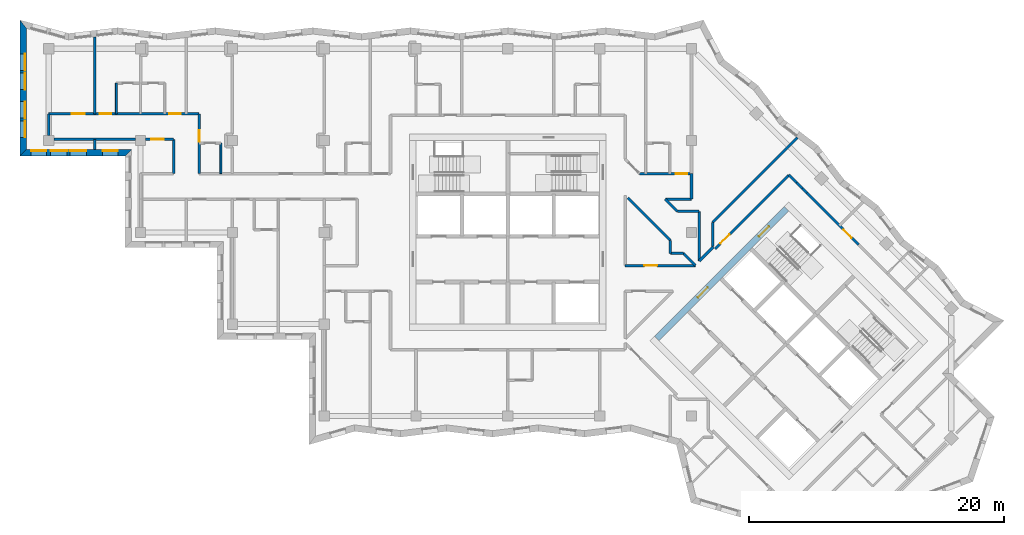
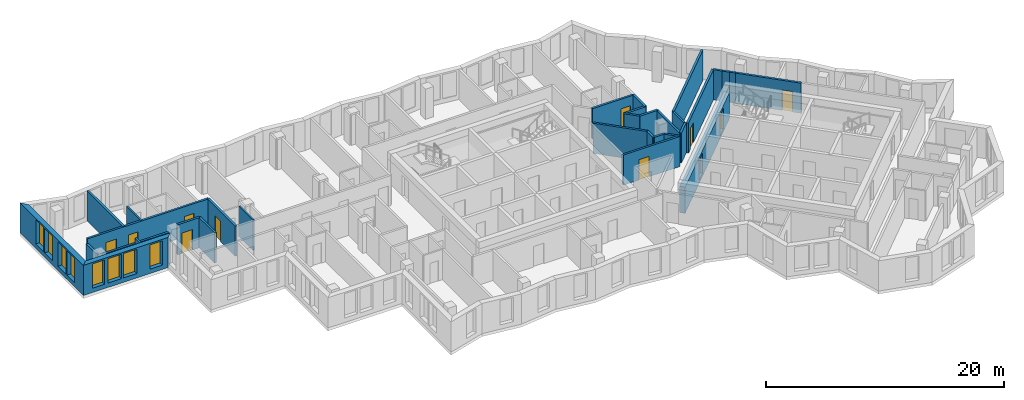
# One storey, part 5 of 12: 32 walls, 11 doors, 8 windows, 19 openings.
"""IFC4 building model written with IfcOpenShell, lengths in metres."""

import ifcopenshell
import ifcopenshell.guid

model = None  # the IFC model being written
_history = None  # IfcOwnerHistory: only IFC2X3 demands one
_inside = {}  # id of a spatial element -> (the spatial element, [elements in it])
_under = {}  # id of a project, library or spatial element -> (it, [spatial elements below it])
_declared = {}  # id of a project -> (the project, [libraries it declares])
_typed = {}  # id of a type object -> (the type object, [elements of that type])
_made_of = {}  # id of a material, layer set ... -> (it, [elements and type objects made of it])


def new_model(schema):
    """Start an empty IFC model of exactly this schema.

    Asked for "IFC4X3", IfcOpenShell would pick the latest addendum, in which some entities
    have other attributes; the version numbers below select the first issue.
    IFC2X3 requires an IfcOwnerHistory on every rooted entity: one is made here for all.
    """
    global model, _history
    if schema == "IFC4X3":
        model = ifcopenshell.file(schema_version=(4, 3, 0, 0))
    else:
        model = ifcopenshell.file(schema=schema)
    _inside.clear()
    _under.clear()
    _declared.clear()
    _typed.clear()
    _made_of.clear()
    _history = None
    if model.schema == "IFC2X3":
        org = make("IfcOrganization", Name="unknown")
        user = make(
            "IfcPersonAndOrganization",
            ThePerson=make("IfcPerson", FamilyName="unknown"),
            TheOrganization=org,
        )
        app = make(
            "IfcApplication",
            ApplicationDeveloper=org,
            Version="unknown",
            ApplicationFullName="unknown",
            ApplicationIdentifier="unknown",
        )
        _history = make(
            "IfcOwnerHistory",
            OwningUser=user,
            OwningApplication=app,
            ChangeAction="ADDED",
            CreationDate=0,
        )
    return model


def make(cls, **values):
    """One entity of the class cls with the attributes given. An attribute that is None is left unset."""
    return model.create_entity(
        cls, **{name: value for name, value in values.items() if value is not None}
    )


def rooted(cls, **values):
    """An entity with a GlobalId (a new one), such as an element, a storey or a relation."""
    return make(cls, GlobalId=ifcopenshell.guid.new(), OwnerHistory=_history, **values)


def si_unit(unit_type, name, prefix=None):
    """IfcSIUnit, for example si_unit("LENGTHUNIT", "METRE", prefix="MILLI")."""
    return make("IfcSIUnit", UnitType=unit_type, Prefix=prefix, Name=name)


def assignment(units):
    """IfcUnitAssignment: the units of a project."""
    return None if units is None else make("IfcUnitAssignment", Units=units)


def point(xyz):
    """IfcCartesianPoint."""
    return None if xyz is None else make("IfcCartesianPoint", Coordinates=xyz)


def direction(xyz):
    """IfcDirection."""
    return None if xyz is None else make("IfcDirection", DirectionRatios=xyz)


def frame(location, z_axis=None, x_axis=None):
    """IfcAxis2Placement3D, a coordinate frame: its origin and axes. An axis left out is left unset."""
    return make(
        "IfcAxis2Placement3D",
        Location=point(location),
        Axis=direction(z_axis),
        RefDirection=direction(x_axis),
    )


def frame_2d(location, x_axis=None):
    """IfcAxis2Placement2D, a coordinate frame in the plane: its origin and x axis."""
    return make(
        "IfcAxis2Placement2D", Location=point(location), RefDirection=direction(x_axis)
    )


def origin():
    """The frame at (0, 0, 0) with its axes left unset."""
    return frame((0.0, 0.0, 0.0))


def place(relative_to, where):
    """IfcLocalPlacement: puts the frame where relative to a parent placement (None: the world)."""
    return make(
        "IfcLocalPlacement", PlacementRelTo=relative_to, RelativePlacement=where
    )


def context(
    kind, dimensions, precision=None, world=None, true_north=None, identifier=None
):
    """IfcGeometricRepresentationContext, for example the 3D "Model" context."""
    return make(
        "IfcGeometricRepresentationContext",
        ContextIdentifier=identifier,
        ContextType=kind,
        CoordinateSpaceDimension=dimensions,
        Precision=precision,
        WorldCoordinateSystem=world,
        TrueNorth=true_north,
    )


def subcontext(parent, identifier, kind, view, scale=None):
    """IfcGeometricRepresentationSubContext, for example "Body" below "Model"."""
    return make(
        "IfcGeometricRepresentationSubContext",
        ContextIdentifier=identifier,
        ContextType=kind,
        ParentContext=parent,
        TargetScale=scale,
        TargetView=view,
    )


def project(units=None, contexts=None):
    """IfcProject with its units and contexts."""
    return rooted(
        "IfcProject",
        Name="project",
        RepresentationContexts=contexts,
        UnitsInContext=assignment(units),
    )


def spatial(cls, under=None, at=None, **own):
    """A site, building, storey or space (cls), placed at a placement, below another one or the project."""
    s = rooted(cls, ObjectPlacement=at, **own)
    if under is not None:
        _under.setdefault(under.id(), (under, []))[1].append(s)
    return s


def polyline(points):
    """IfcPolyline through the points."""
    return make("IfcPolyline", Points=[point(p) for p in points])


def profile(cls, at=None, kind="AREA", **sizes):
    """A parametric profile (cls). Its sizes go by their IFC names, for example OverallWidth=200.0."""
    return make(cls, ProfileType=kind, Position=at, **sizes)


def rectangle(**sizes):
    """IfcRectangleProfileDef."""
    return profile("IfcRectangleProfileDef", **sizes)


def outline(outer, holes=None, kind="AREA"):
    """IfcArbitraryClosedProfileDef: a profile drawn as a closed curve; with holes, ...WithVoids."""
    if holes is None:
        return make("IfcArbitraryClosedProfileDef", ProfileType=kind, OuterCurve=outer)
    return make(
        "IfcArbitraryProfileDefWithVoids",
        ProfileType=kind,
        OuterCurve=outer,
        InnerCurves=holes,
    )


def extrude(swept, where, along, depth):
    """IfcExtrudedAreaSolid: the profile swept, set in the frame where, extruded along a direction by depth."""
    return make(
        "IfcExtrudedAreaSolid",
        SweptArea=swept,
        Position=where,
        ExtrudedDirection=direction(along),
        Depth=depth,
    )


def shape(context_of_items, identifier, shape_type, items):
    """IfcShapeRepresentation: the items that make up one representation, for example the "Body"."""
    return make(
        "IfcShapeRepresentation",
        ContextOfItems=context_of_items,
        RepresentationIdentifier=identifier,
        RepresentationType=shape_type,
        Items=items,
    )


def material(Name=None, Category=None):
    """IfcMaterial."""
    return make("IfcMaterial", Name=Name, Category=Category)


def layer(
    of_material, thickness, ventilated=None, Name=None, Category=None, Priority=None
):
    """IfcMaterialLayer: one layer of a wall or slab, of a material (None: an air gap)."""
    return make(
        "IfcMaterialLayer",
        Material=of_material,
        LayerThickness=thickness,
        IsVentilated=ventilated,
        Name=Name,
        Category=Category,
        Priority=Priority,
    )


def layer_set(layers, Name=None):
    """IfcMaterialLayerSet."""
    return make("IfcMaterialLayerSet", MaterialLayers=layers, LayerSetName=Name)


def made_of(thing, what):
    """Note that an element or type object is made of a material, layer set ...; save() writes the relation."""
    if what is not None:
        _made_of.setdefault(what.id(), (what, []))[1].append(thing)
    return thing


def type_object(cls, material=None, **own):
    """A type object (cls), such as IfcWallType, which elements share."""
    return made_of(rooted(cls, **own), material)


def element(
    cls,
    number,
    at=None,
    inside=None,
    cuts=None,
    type_object=None,
    material=None,
    context=None,
    identifier="Body",
    shape_type=None,
    held_by="IfcProductDefinitionShape",
    body=None,
    shapes=None,
    **own,
):
    """One element of the class cls, such as IfcWall. Its Tag is "e" and its number.

    at: its placement. inside: the storey or other place that contains it. cuts: it is an
    opening in that element (IfcRelVoidsElement). A single representation is given by context,
    identifier, shape_type and body (its items); several are given by shapes. held_by: the class
    of the entity that holds the representations. save() writes the other relations.
    """
    e = rooted(cls, Tag="e%d" % number, ObjectPlacement=at, **own)
    if body is not None:
        shapes = [shape(context, identifier, shape_type, body)]
    if shapes is not None:
        e.Representation = make(held_by, Representations=shapes)
    if inside is not None:
        _inside.setdefault(inside.id(), (inside, []))[1].append(e)
    if cuts is not None:
        rooted(
            "IfcRelVoidsElement", RelatingBuildingElement=cuts, RelatedOpeningElement=e
        )
    if type_object is not None:
        _typed.setdefault(type_object.id(), (type_object, []))[1].append(e)
    return made_of(e, material)


def fill(opening, filler):
    """IfcRelFillsElement: the door or window that sits in an opening."""
    return rooted(
        "IfcRelFillsElement",
        RelatingOpeningElement=opening,
        RelatedBuildingElement=filler,
    )


def aggregate(whole, parts):
    """IfcRelAggregates: a whole, such as a stair, and the parts it consists of."""
    return rooted("IfcRelAggregates", RelatingObject=whole, RelatedObjects=parts)


def save(model, path):
    """Write the relations noted so far, then the file.

    IfcRelAggregates (storeys below a building ...), IfcRelContainedInSpatialStructure (elements
    in a storey), IfcRelDefinesByType, IfcRelAssociatesMaterial and IfcRelDeclares: one each for
    every whole, place, type object, material and project.
    """
    for whole, parts in _under.values():
        aggregate(whole, parts)
    for where, things in _inside.values():
        rooted(
            "IfcRelContainedInSpatialStructure",
            RelatedElements=things,
            RelatingStructure=where,
        )
    for kind, things in _typed.values():
        rooted("IfcRelDefinesByType", RelatedObjects=things, RelatingType=kind)
    for what, things in _made_of.values():
        rooted("IfcRelAssociatesMaterial", RelatedObjects=things, RelatingMaterial=what)
    for by, libraries in _declared.values():
        rooted("IfcRelDeclares", RelatingContext=by, RelatedDefinitions=libraries)
    model.write(path)


model = new_model("IFC4")

# Units and contexts
model_context = context("Model", 3, precision=1e-05, world=origin(), true_north=direction((0.0, 1.0)))
body_context = subcontext(model_context, "Body", "Model", "MODEL_VIEW")
ifc_project = project(units=[si_unit("LENGTHUNIT", "METRE"), si_unit("AREAUNIT", "SQUARE_METRE"), si_unit("VOLUMEUNIT", "CUBIC_METRE"), si_unit("PLANEANGLEUNIT", "RADIAN"), si_unit("MASSUNIT", "GRAM", prefix="KILO")], contexts=[model_context])

# Site, building, storey
site_placement = place(None, origin())
site = spatial("IfcSite", under=ifc_project, at=site_placement, CompositionType="ELEMENT")
building_placement = place(site_placement, origin())
building = spatial("IfcBuilding", under=site, at=building_placement, Name="Windrow Commons", CompositionType="ELEMENT")
storey_placement = place(building_placement, frame((0.0, 0.0, 206.6)))
storey = spatial("IfcBuildingStorey", under=building, at=storey_placement, Name="L56", CompositionType="ELEMENT", Elevation=206.6)

# Wall, openings, windows
ifc_material_1 = material(Name="Brick masonry, red clay brick", Category="masonry")
ifc_layer_1 = layer(ifc_material_1, 0.5)
ifc_layer_set_1 = layer_set([ifc_layer_1], Name="Brick facade wall 500")
wall_type_1 = type_object("IfcWallType", Name="Brick facade wall 500", PredefinedType="SOLIDWALL", material=ifc_layer_set_1)
wall_1_placement = place(storey_placement, frame((26.799, 73.9231, 0.0), z_axis=(0.0, 0.0, 1.0), x_axis=(0.0, -1.0, 0.0)))
wall_1 = element("IfcWall", 1, at=wall_1_placement, inside=storey, type_object=wall_type_1, Name="Brick facade wall L56 31", PredefinedType="SOLIDWALL", context=body_context, shape_type="SweptSolid", body=[
    extrude(outline(polyline([(-0.3279, -0.25), (10.3231, -0.25), (9.8231, 0.25), (0.3279, 0.25), (-0.3279, -0.25)])), origin(), (0.0, 0.0, 1.0), 3.1),
])
opening_1_placement = place(wall_1_placement, frame((2.3231, 0.0, 0.45)))
opening_1 = element("IfcOpeningElement", 2, at=opening_1_placement, cuts=wall_1, Name="Opening W1Q", PredefinedType="OPENING", context=body_context, shape_type="SweptSolid", body=[
    extrude(rectangle(XDim=1.3, YDim=2.5, at=frame_2d((0.65, 1.25))), frame((0.0, 0.26, 0.0), z_axis=(0.0, -1.0, 0.0), x_axis=(1.0, 0.0, 0.0)), (0.0, 0.0, 1.0), 0.52),
])
opening_2_placement = place(wall_1_placement, frame((3.8231, 0.0, 0.45)))
opening_2 = element("IfcOpeningElement", 3, at=opening_2_placement, cuts=wall_1, Name="Opening W1Q", PredefinedType="OPENING", context=body_context, shape_type="SweptSolid", body=[
    extrude(rectangle(XDim=1.3, YDim=2.5, at=frame_2d((0.65, 1.25))), frame((0.0, 0.26, 0.0), z_axis=(0.0, -1.0, 0.0), x_axis=(1.0, 0.0, 0.0)), (0.0, 0.0, 1.0), 0.52),
])
opening_3_placement = place(wall_1_placement, frame((6.0731, 0.0, 0.45)))
opening_3 = element("IfcOpeningElement", 4, at=opening_3_placement, cuts=wall_1, Name="Opening W1Q", PredefinedType="OPENING", context=body_context, shape_type="SweptSolid", body=[
    extrude(rectangle(XDim=1.3, YDim=2.5, at=frame_2d((0.65, 1.25))), frame((0.0, 0.26, 0.0), z_axis=(0.0, -1.0, 0.0), x_axis=(1.0, 0.0, 0.0)), (0.0, 0.0, 1.0), 0.52),
])
opening_4_placement = place(wall_1_placement, frame((7.5731, 0.0, 0.45)))
opening_4 = element("IfcOpeningElement", 5, at=opening_4_placement, cuts=wall_1, Name="Opening W1Q", PredefinedType="OPENING", context=body_context, shape_type="SweptSolid", body=[
    extrude(rectangle(XDim=1.3, YDim=2.5, at=frame_2d((0.65, 1.25))), frame((0.0, 0.26, 0.0), z_axis=(0.0, -1.0, 0.0), x_axis=(1.0, 0.0, 0.0)), (0.0, 0.0, 1.0), 0.52),
])
ifc_material_2 = material(Name="Clear float glass in anodised aluminium frame", Category="aluminium")
window_type_1 = type_object("IfcWindowType", Name="Window W1Q pair 1300x2500", PartitioningType="SINGLE_PANEL", PredefinedType="WINDOW", material=ifc_material_2)
window_1_placement = place(opening_1_placement, origin())
window_1 = element("IfcWindow", 6, at=window_1_placement, inside=storey, type_object=window_type_1, Name="Window L56 31.1A", OverallHeight=2.5, OverallWidth=1.3, PartitioningType="SINGLE_PANEL", PredefinedType="WINDOW", context=body_context, shape_type="SweptSolid", body=[
    extrude(rectangle(XDim=1.3, YDim=2.5, at=frame_2d((0.65, 1.25))), frame((0.0, 0.18, 0.0), z_axis=(0.0, -1.0, 0.0), x_axis=(1.0, 0.0, 0.0)), (0.0, 0.0, 1.0), 0.06),
])
fill(opening_1, window_1)
window_2_placement = place(opening_2_placement, origin())
window_2 = element("IfcWindow", 7, at=window_2_placement, inside=storey, type_object=window_type_1, Name="Window L56 31.1B", OverallHeight=2.5, OverallWidth=1.3, PartitioningType="SINGLE_PANEL", PredefinedType="WINDOW", context=body_context, shape_type="SweptSolid", body=[
    extrude(rectangle(XDim=1.3, YDim=2.5, at=frame_2d((0.65, 1.25))), frame((0.0, 0.18, 0.0), z_axis=(0.0, -1.0, 0.0), x_axis=(1.0, 0.0, 0.0)), (0.0, 0.0, 1.0), 0.06),
])
fill(opening_2, window_2)
window_3_placement = place(opening_3_placement, origin())
window_3 = element("IfcWindow", 8, at=window_3_placement, inside=storey, type_object=window_type_1, Name="Window L56 31.2A", OverallHeight=2.5, OverallWidth=1.3, PartitioningType="SINGLE_PANEL", PredefinedType="WINDOW", context=body_context, shape_type="SweptSolid", body=[
    extrude(rectangle(XDim=1.3, YDim=2.5, at=frame_2d((0.65, 1.25))), frame((0.0, 0.18, 0.0), z_axis=(0.0, -1.0, 0.0), x_axis=(1.0, 0.0, 0.0)), (0.0, 0.0, 1.0), 0.06),
])
fill(opening_3, window_3)
window_4_placement = place(opening_4_placement, origin())
window_4 = element("IfcWindow", 9, at=window_4_placement, inside=storey, type_object=window_type_1, Name="Window L56 31.2B", OverallHeight=2.5, OverallWidth=1.3, PartitioningType="SINGLE_PANEL", PredefinedType="WINDOW", context=body_context, shape_type="SweptSolid", body=[
    extrude(rectangle(XDim=1.3, YDim=2.5, at=frame_2d((0.65, 1.25))), frame((0.0, 0.18, 0.0), z_axis=(0.0, -1.0, 0.0), x_axis=(1.0, 0.0, 0.0)), (0.0, 0.0, 1.0), 0.06),
])
fill(opening_4, window_4)

wall_2_placement = place(storey_placement, frame((26.799, 63.85, 0.0), z_axis=(0.0, 0.0, 1.0), x_axis=(1.0, 0.0, 0.0)))
wall_2 = element("IfcWall", 10, at=wall_2_placement, inside=storey, type_object=wall_type_1, Name="Brick facade wall L56 32", PredefinedType="SOLIDWALL", context=body_context, shape_type="SweptSolid", body=[
    extrude(outline(polyline([(-0.25, -0.25), (8.001, -0.25), (8.501, 0.25), (0.25, 0.25), (-0.25, -0.25)])), origin(), (0.0, 0.0, 1.0), 3.1),
])
opening_5_placement = place(wall_2_placement, frame((2.151, 0.0, 0.45)))
opening_5 = element("IfcOpeningElement", 11, at=opening_5_placement, cuts=wall_2, Name="Opening W1Q", PredefinedType="OPENING", context=body_context, shape_type="SweptSolid", body=[
    extrude(rectangle(XDim=1.3, YDim=2.5, at=frame_2d((0.65, 1.25))), frame((0.0, 0.26, 0.0), z_axis=(0.0, -1.0, 0.0), x_axis=(1.0, 0.0, 0.0)), (0.0, 0.0, 1.0), 0.52),
])
opening_6_placement = place(wall_2_placement, frame((3.651, 0.0, 0.45)))
opening_6 = element("IfcOpeningElement", 12, at=opening_6_placement, cuts=wall_2, Name="Opening W1Q", PredefinedType="OPENING", context=body_context, shape_type="SweptSolid", body=[
    extrude(rectangle(XDim=1.3, YDim=2.5, at=frame_2d((0.65, 1.25))), frame((0.0, 0.26, 0.0), z_axis=(0.0, -1.0, 0.0), x_axis=(1.0, 0.0, 0.0)), (0.0, 0.0, 1.0), 0.52),
])
opening_7_placement = place(wall_2_placement, frame((0.6255, 0.0, 0.45)))
opening_7 = element("IfcOpeningElement", 13, at=opening_7_placement, cuts=wall_2, Name="Opening W7E", PredefinedType="OPENING", context=body_context, shape_type="SweptSolid", body=[
    extrude(rectangle(XDim=1.2, YDim=2.5, at=frame_2d((0.6, 1.25))), frame((0.0, 0.26, 0.0), z_axis=(0.0, -1.0, 0.0), x_axis=(1.0, 0.0, 0.0)), (0.0, 0.0, 1.0), 0.52),
])
opening_8_placement = place(wall_2_placement, frame((6.226, 0.0, 0.45)))
opening_8 = element("IfcOpeningElement", 14, at=opening_8_placement, cuts=wall_2, Name="Opening W7E", PredefinedType="OPENING", context=body_context, shape_type="SweptSolid", body=[
    extrude(rectangle(XDim=1.2, YDim=2.5, at=frame_2d((0.6, 1.25))), frame((0.0, 0.26, 0.0), z_axis=(0.0, -1.0, 0.0), x_axis=(1.0, 0.0, 0.0)), (0.0, 0.0, 1.0), 0.52),
])
window_5_placement = place(opening_5_placement, origin())
window_5 = element("IfcWindow", 15, at=window_5_placement, inside=storey, type_object=window_type_1, Name="Window L56 32.1A", OverallHeight=2.5, OverallWidth=1.3, PartitioningType="SINGLE_PANEL", PredefinedType="WINDOW", context=body_context, shape_type="SweptSolid", body=[
    extrude(rectangle(XDim=1.3, YDim=2.5, at=frame_2d((0.65, 1.25))), frame((0.0, 0.18, 0.0), z_axis=(0.0, -1.0, 0.0), x_axis=(1.0, 0.0, 0.0)), (0.0, 0.0, 1.0), 0.06),
])
fill(opening_5, window_5)
window_6_placement = place(opening_6_placement, origin())
window_6 = element("IfcWindow", 16, at=window_6_placement, inside=storey, type_object=window_type_1, Name="Window L56 32.1B", OverallHeight=2.5, OverallWidth=1.3, PartitioningType="SINGLE_PANEL", PredefinedType="WINDOW", context=body_context, shape_type="SweptSolid", body=[
    extrude(rectangle(XDim=1.3, YDim=2.5, at=frame_2d((0.65, 1.25))), frame((0.0, 0.18, 0.0), z_axis=(0.0, -1.0, 0.0), x_axis=(1.0, 0.0, 0.0)), (0.0, 0.0, 1.0), 0.06),
])
fill(opening_6, window_6)
ifc_material_3 = material(Name="Clear float glass in anodised aluminium frame", Category="aluminium")
window_type_2 = type_object("IfcWindowType", Name="Window W7 notch 1200x2500", PartitioningType="SINGLE_PANEL", PredefinedType="WINDOW", material=ifc_material_3)
window_7_placement = place(opening_7_placement, origin())
window_7 = element("IfcWindow", 17, at=window_7_placement, inside=storey, type_object=window_type_2, Name="Window L56 32.2", OverallHeight=2.5, OverallWidth=1.2, PartitioningType="SINGLE_PANEL", PredefinedType="WINDOW", context=body_context, shape_type="SweptSolid", body=[
    extrude(rectangle(XDim=1.2, YDim=2.5, at=frame_2d((0.6, 1.25))), frame((0.0, 0.18, 0.0), z_axis=(0.0, -1.0, 0.0), x_axis=(1.0, 0.0, 0.0)), (0.0, 0.0, 1.0), 0.06),
])
fill(opening_7, window_7)
window_8_placement = place(opening_8_placement, origin())
window_8 = element("IfcWindow", 18, at=window_8_placement, inside=storey, type_object=window_type_2, Name="Window L56 32.3", OverallHeight=2.5, OverallWidth=1.2, PartitioningType="SINGLE_PANEL", PredefinedType="WINDOW", context=body_context, shape_type="SweptSolid", body=[
    extrude(rectangle(XDim=1.2, YDim=2.5, at=frame_2d((0.6, 1.25))), frame((0.0, 0.18, 0.0), z_axis=(0.0, -1.0, 0.0), x_axis=(1.0, 0.0, 0.0)), (0.0, 0.0, 1.0), 0.06),
])
fill(opening_8, window_8)

# Wall, openings, doors
ifc_material_4 = material(Name="Blockwork partition", Category="masonry")
ifc_layer_2 = layer(ifc_material_4, 0.2)
ifc_layer_set_2 = layer_set([ifc_layer_2], Name="IW-CORRIDOR-200")
wall_type_2 = type_object("IfcWallType", Name="IW-CORRIDOR-200", PredefinedType="PARTITIONING", material=ifc_layer_set_2)
wall_3_placement = place(storey_placement, frame((28.802, 66.9, 0.0), z_axis=(0.0, 0.0, 1.0), x_axis=(1.0, 0.0, 0.0)))
wall_3 = element("IfcWall", 19, at=wall_3_placement, inside=storey, type_object=wall_type_2, Name="W-L56-W004", PredefinedType="PARTITIONING", context=body_context, shape_type="SweptSolid", body=[
    extrude(rectangle(XDim=11.798, YDim=0.2, at=frame_2d((5.899, 0.0))), origin(), (0.0, 0.0, 1.0), 3.1),
])
opening_9_placement = place(wall_3_placement, frame((1.8052, 0.0, 0.0)))
opening_9 = element("IfcOpeningElement", 20, at=opening_9_placement, cuts=wall_3, Name="Opening D310F", PredefinedType="OPENING", context=body_context, shape_type="SweptSolid", body=[
    extrude(rectangle(XDim=1.0, YDim=2.1, at=frame_2d((0.5, 1.05))), frame((0.0, 0.11, 0.0), z_axis=(0.0, -1.0, 0.0), x_axis=(1.0, 0.0, 0.0)), (0.0, 0.0, 1.0), 0.22),
])
opening_10_placement = place(wall_3_placement, frame((3.998, 0.0, 0.0)))
opening_10 = element("IfcOpeningElement", 21, at=opening_10_placement, cuts=wall_3, Name="Opening D109S", PredefinedType="OPENING", context=body_context, shape_type="SweptSolid", body=[
    extrude(rectangle(XDim=0.9, YDim=2.1, at=frame_2d((0.45, 1.05))), frame((0.0, 0.11, 0.0), z_axis=(0.0, -1.0, 0.0), x_axis=(1.0, 0.0, 0.0)), (0.0, 0.0, 1.0), 0.22),
])
opening_11_placement = place(wall_3_placement, frame((9.448, 0.0, 0.0)))
opening_11 = element("IfcOpeningElement", 22, at=opening_11_placement, cuts=wall_3, Name="Opening D109S", PredefinedType="OPENING", context=body_context, shape_type="SweptSolid", body=[
    extrude(rectangle(XDim=0.9, YDim=2.1, at=frame_2d((0.45, 1.05))), frame((0.0, 0.11, 0.0), z_axis=(0.0, -1.0, 0.0), x_axis=(1.0, 0.0, 0.0)), (0.0, 0.0, 1.0), 0.22),
])
ifc_material_5 = material(Name="Timber door leaf", Category="wood")
door_type_1 = type_object("IfcDoorType", Name="DT-AMENITY-1000", OperationType="SINGLE_SWING_LEFT", PredefinedType="DOOR", material=ifc_material_5)
door_1_placement = place(opening_9_placement, origin())
door_1 = element("IfcDoor", 23, at=door_1_placement, inside=storey, type_object=door_type_1, Name="D-L56-D001", OperationType="SINGLE_SWING_RIGHT", OverallHeight=2.1, OverallWidth=1.0, PredefinedType="DOOR", context=body_context, shape_type="SweptSolid", body=[
    extrude(rectangle(XDim=1.0, YDim=2.1, at=frame_2d((0.5, 1.05))), frame((0.0, 0.025, 0.0), z_axis=(0.0, -1.0, 0.0), x_axis=(1.0, 0.0, 0.0)), (0.0, 0.0, 1.0), 0.05),
])
fill(opening_9, door_1)
ifc_material_6 = material(Name="Timber door leaf", Category="wood")
door_type_2 = type_object("IfcDoorType", Name="DT-BEDROOM-900", OperationType="SINGLE_SWING_LEFT", PredefinedType="DOOR", material=ifc_material_6)
door_2_placement = place(opening_10_placement, origin())
door_2 = element("IfcDoor", 24, at=door_2_placement, inside=storey, type_object=door_type_2, Name="D-L56-D003", OperationType="SINGLE_SWING_LEFT", OverallHeight=2.1, OverallWidth=0.9, PredefinedType="DOOR", context=body_context, shape_type="SweptSolid", body=[
    extrude(rectangle(XDim=0.9, YDim=2.1, at=frame_2d((0.45, 1.05))), frame((0.0, 0.025, 0.0), z_axis=(0.0, -1.0, 0.0), x_axis=(1.0, 0.0, 0.0)), (0.0, 0.0, 1.0), 0.05),
])
fill(opening_10, door_2)
door_3_placement = place(opening_11_placement, origin())
door_3 = element("IfcDoor", 25, at=door_3_placement, inside=storey, type_object=door_type_2, Name="D-L56-D005", OperationType="SINGLE_SWING_RIGHT", OverallHeight=2.1, OverallWidth=0.9, PredefinedType="DOOR", context=body_context, shape_type="SweptSolid", body=[
    extrude(rectangle(XDim=0.9, YDim=2.1, at=frame_2d((0.45, 1.05))), frame((0.0, 0.025, 0.0), z_axis=(0.0, -1.0, 0.0), x_axis=(1.0, 0.0, 0.0)), (0.0, 0.0, 1.0), 0.05),
])
fill(opening_11, door_3)

# Wall, opening, door
wall_4_placement = place(storey_placement, frame((81.0373, 56.3027, 0.0), z_axis=(0.0, 0.0, 1.0), x_axis=(0.7071067812, 0.7071067812, 0.0)))
wall_4 = element("IfcWall", 26, at=wall_4_placement, inside=storey, type_object=wall_type_2, Name="W-L56-W010", PredefinedType="PARTITIONING", context=body_context, shape_type="SweptSolid", body=[
    extrude(rectangle(XDim=8.1996, YDim=0.2, at=frame_2d((4.0998, 0.0))), origin(), (0.0, 0.0, 1.0), 3.1),
])
opening_12_placement = place(wall_4_placement, frame((0.5924, 0.0, 0.0)))
opening_12 = element("IfcOpeningElement", 27, at=opening_12_placement, cuts=wall_4, Name="Opening D310F", PredefinedType="OPENING", context=body_context, shape_type="SweptSolid", body=[
    extrude(rectangle(XDim=1.0, YDim=2.1, at=frame_2d((0.5, 1.05))), frame((0.0, 0.11, 0.0), z_axis=(0.0, -1.0, 0.0), x_axis=(1.0, 0.0, 0.0)), (0.0, 0.0, 1.0), 0.22),
])
door_4_placement = place(opening_12_placement, origin())
door_4 = element("IfcDoor", 28, at=door_4_placement, inside=storey, type_object=door_type_1, Name="D-L56-D035", OperationType="SINGLE_SWING_RIGHT", OverallHeight=2.1, OverallWidth=1.0, PredefinedType="DOOR", context=body_context, shape_type="SweptSolid", body=[
    extrude(rectangle(XDim=1.0, YDim=2.1, at=frame_2d((0.5, 1.05))), frame((0.0, 0.025, 0.0), z_axis=(0.0, -1.0, 0.0), x_axis=(1.0, 0.0, 0.0)), (0.0, 0.0, 1.0), 0.05),
])
fill(opening_12, door_4)

# Wall
wall_5_placement = place(storey_placement, frame((29.2, 64.9, 0.0), z_axis=(0.0, 0.0, 1.0), x_axis=(1.0, 0.0, 0.0)))
element("IfcWall", 29, at=wall_5_placement, inside=storey, type_object=wall_type_2, Name="W-L56-W017", PredefinedType="PARTITIONING", context=body_context, shape_type="SweptSolid", body=[
    extrude(rectangle(XDim=6.4, YDim=0.2, at=frame_2d((3.2, 0.0))), origin(), (0.0, 0.0, 1.0), 2.6),
])

# Wall, opening, door
wall_6_placement = place(storey_placement, frame((88.2474, 60.6834, 0.0), z_axis=(0.0, 0.0, 1.0), x_axis=(0.7071067812, -0.7071067812, 0.0)))
wall_6 = element("IfcWall", 30, at=wall_6_placement, inside=storey, type_object=wall_type_2, Name="W-L56-W028", PredefinedType="PARTITIONING", context=body_context, shape_type="SweptSolid", body=[
    extrude(rectangle(XDim=5.7417, YDim=0.2, at=frame_2d((2.8708, 0.0))), origin(), (0.0, 0.0, 1.0), 3.1),
])
opening_13_placement = place(wall_6_placement, frame((4.0693, 0.0, 0.0)))
opening_13 = element("IfcOpeningElement", 31, at=opening_13_placement, cuts=wall_6, Name="Opening D109S", PredefinedType="OPENING", context=body_context, shape_type="SweptSolid", body=[
    extrude(rectangle(XDim=0.9, YDim=2.1, at=frame_2d((0.45, 1.05))), frame((0.0, 0.11, 0.0), z_axis=(0.0, -1.0, 0.0), x_axis=(1.0, 0.0, 0.0)), (0.0, 0.0, 1.0), 0.22),
])
door_5_placement = place(opening_13_placement, origin())
door_5 = element("IfcDoor", 32, at=door_5_placement, inside=storey, type_object=door_type_2, Name="D-L56-D037", OperationType="SINGLE_SWING_RIGHT", OverallHeight=2.1, OverallWidth=0.9, PredefinedType="DOOR", context=body_context, shape_type="SweptSolid", body=[
    extrude(rectangle(XDim=0.9, YDim=2.1, at=frame_2d((0.45, 1.05))), frame((0.0, 0.025, 0.0), z_axis=(0.0, -1.0, 0.0), x_axis=(1.0, 0.0, 0.0)), (0.0, 0.0, 1.0), 0.05),
])
fill(opening_13, door_5)

wall_7_placement = place(storey_placement, frame((74.002, 55.0, 0.0), z_axis=(0.0, 0.0, 1.0), x_axis=(1.0, 0.0, 0.0)))
wall_7 = element("IfcWall", 33, at=wall_7_placement, inside=storey, type_object=wall_type_2, Name="W-L56-W029", PredefinedType="PARTITIONING", context=body_context, shape_type="SweptSolid", body=[
    extrude(rectangle(XDim=5.508, YDim=0.2, at=frame_2d((2.754, 0.0))), origin(), (0.0, 0.0, 1.0), 3.1),
])
opening_14_placement = place(wall_7_placement, frame((1.51, 0.0, 0.0)))
opening_14 = element("IfcOpeningElement", 34, at=opening_14_placement, cuts=wall_7, Name="Opening D410F", PredefinedType="OPENING", context=body_context, shape_type="SweptSolid", body=[
    extrude(rectangle(XDim=1.0, YDim=2.1, at=frame_2d((0.5, 1.05))), frame((0.0, 0.11, 0.0), z_axis=(0.0, -1.0, 0.0), x_axis=(1.0, 0.0, 0.0)), (0.0, 0.0, 1.0), 0.22),
])
ifc_material_7 = material(Name="Timber door leaf", Category="wood")
door_type_3 = type_object("IfcDoorType", Name="DT-SERVICE-1000", OperationType="SINGLE_SWING_LEFT", PredefinedType="DOOR", material=ifc_material_7)
door_6_placement = place(opening_14_placement, origin())
door_6 = element("IfcDoor", 35, at=door_6_placement, inside=storey, type_object=door_type_3, Name="D-L56-D034", OperationType="SINGLE_SWING_LEFT", OverallHeight=2.1, OverallWidth=1.0, PredefinedType="DOOR", context=body_context, shape_type="SweptSolid", body=[
    extrude(rectangle(XDim=1.0, YDim=2.1, at=frame_2d((0.5, 1.05))), frame((0.0, 0.025, 0.0), z_axis=(0.0, -1.0, 0.0), x_axis=(1.0, 0.0, 0.0)), (0.0, 0.0, 1.0), 0.05),
])
fill(opening_14, door_6)

# Wall
wall_8_placement = place(storey_placement, frame((74.1969, 60.3089, 0.0), z_axis=(0.0, 0.0, 1.0), x_axis=(0.7071067812, -0.7071067812, 0.0)))
element("IfcWall", 36, at=wall_8_placement, inside=storey, type_object=wall_type_2, Name="W-L56-W038", PredefinedType="PARTITIONING", context=body_context, shape_type="SweptSolid", body=[
    extrude(rectangle(XDim=4.7376, YDim=0.2, at=frame_2d((2.3688, 0.0))), origin(), (0.0, 0.0, 1.0), 3.1),
])

# Wall, opening, door
wall_9_placement = place(storey_placement, frame((40.6, 62.202, 0.0), z_axis=(0.0, 0.0, 1.0), x_axis=(0.0, 1.0, 0.0)))
wall_9 = element("IfcWall", 37, at=wall_9_placement, inside=storey, type_object=wall_type_2, Name="W-L56-W039", PredefinedType="PARTITIONING", context=body_context, shape_type="SweptSolid", body=[
    extrude(rectangle(XDim=4.698, YDim=0.2, at=frame_2d((2.349, 0.0))), origin(), (0.0, 0.0, 1.0), 3.1),
])
opening_15_placement = place(wall_9_placement, frame((2.5098, 0.0, 0.0)))
opening_15 = element("IfcOpeningElement", 38, at=opening_15_placement, cuts=wall_9, Name="Opening D109S", PredefinedType="OPENING", context=body_context, shape_type="SweptSolid", body=[
    extrude(rectangle(XDim=0.9, YDim=2.1, at=frame_2d((0.45, 1.05))), frame((0.0, 0.11, 0.0), z_axis=(0.0, -1.0, 0.0), x_axis=(1.0, 0.0, 0.0)), (0.0, 0.0, 1.0), 0.22),
])
door_7_placement = place(opening_15_placement, origin())
door_7 = element("IfcDoor", 39, at=door_7_placement, inside=storey, type_object=door_type_2, Name="D-L56-D016", OperationType="SINGLE_SWING_LEFT", OverallHeight=2.1, OverallWidth=0.9, PredefinedType="DOOR", context=body_context, shape_type="SweptSolid", body=[
    extrude(rectangle(XDim=0.9, YDim=2.1, at=frame_2d((0.45, 1.05))), frame((0.0, 0.025, 0.0), z_axis=(0.0, -1.0, 0.0), x_axis=(1.0, 0.0, 0.0)), (0.0, 0.0, 1.0), 0.05),
])
fill(opening_15, door_7)

wall_10_placement = place(storey_placement, frame((75.142, 62.2, 0.0), z_axis=(0.0, 0.0, 1.0), x_axis=(1.0, 0.0, 0.0)))
wall_10 = element("IfcWall", 40, at=wall_10_placement, inside=storey, type_object=wall_type_2, Name="W-L56-W042", PredefinedType="PARTITIONING", context=body_context, shape_type="SweptSolid", body=[
    extrude(rectangle(XDim=4.058, YDim=0.2, at=frame_2d((2.029, 0.0))), origin(), (0.0, 0.0, 1.0), 3.1),
])
opening_16_placement = place(wall_10_placement, frame((2.808, 0.0, 0.0)))
opening_16 = element("IfcOpeningElement", 41, at=opening_16_placement, cuts=wall_10, Name="Opening D109S", PredefinedType="OPENING", context=body_context, shape_type="SweptSolid", body=[
    extrude(rectangle(XDim=0.9, YDim=2.1, at=frame_2d((0.45, 1.05))), frame((0.0, 0.11, 0.0), z_axis=(0.0, -1.0, 0.0), x_axis=(1.0, 0.0, 0.0)), (0.0, 0.0, 1.0), 0.22),
])
door_8_placement = place(opening_16_placement, origin())
door_8 = element("IfcDoor", 42, at=door_8_placement, inside=storey, type_object=door_type_2, Name="D-L56-D023", OperationType="SINGLE_SWING_LEFT", OverallHeight=2.1, OverallWidth=0.9, PredefinedType="DOOR", context=body_context, shape_type="SweptSolid", body=[
    extrude(rectangle(XDim=0.9, YDim=2.1, at=frame_2d((0.45, 1.05))), frame((0.0, 0.025, 0.0), z_axis=(0.0, -1.0, 0.0), x_axis=(1.0, 0.0, 0.0)), (0.0, 0.0, 1.0), 0.05),
])
fill(opening_16, door_8)

# Walls
wall_11_placement = place(storey_placement, frame((79.8, 55.35, 0.0), z_axis=(0.0, 0.0, 1.0), x_axis=(0.0, 1.0, 0.0)))
element("IfcWall", 43, at=wall_11_placement, inside=storey, type_object=wall_type_2, Name="W-L56-W044", PredefinedType="PARTITIONING", context=body_context, shape_type="SweptSolid", body=[
    extrude(rectangle(XDim=3.9, YDim=0.2, at=frame_2d((1.95, 0.0))), origin(), (0.0, 0.0, 1.0), 3.1),
])
wall_12_placement = place(storey_placement, frame((38.6, 62.202, 0.0), z_axis=(0.0, 0.0, 1.0), x_axis=(0.0, 1.0, 0.0)))
element("IfcWall", 44, at=wall_12_placement, inside=storey, type_object=wall_type_2, Name="W-L56-W053", PredefinedType="PARTITIONING", context=body_context, shape_type="SweptSolid", body=[
    extrude(rectangle(XDim=2.698, YDim=0.2, at=frame_2d((1.349, 0.0))), origin(), (0.0, 0.0, 1.0), 3.1),
])

# Wall, opening, door
wall_13_placement = place(storey_placement, frame((36.4, 64.9, 0.0), z_axis=(0.0, 0.0, 1.0), x_axis=(1.0, 0.0, 0.0)))
wall_13 = element("IfcWall", 45, at=wall_13_placement, inside=storey, type_object=wall_type_2, Name="W-L56-W087", PredefinedType="PARTITIONING", context=body_context, shape_type="SweptSolid", body=[
    extrude(rectangle(XDim=2.2, YDim=0.2, at=frame_2d((1.1, 0.0))), origin(), (0.0, 0.0, 1.0), 3.1),
])
opening_17_placement = place(wall_13_placement, frame((0.4338, 0.0, 0.0)))
opening_17 = element("IfcOpeningElement", 46, at=opening_17_placement, cuts=wall_13, Name="Opening D310F", PredefinedType="OPENING", context=body_context, shape_type="SweptSolid", body=[
    extrude(rectangle(XDim=1.0, YDim=2.1, at=frame_2d((0.5, 1.05))), frame((0.0, 0.11, 0.0), z_axis=(0.0, -1.0, 0.0), x_axis=(1.0, 0.0, 0.0)), (0.0, 0.0, 1.0), 0.22),
])
door_9_placement = place(opening_17_placement, origin())
door_9 = element("IfcDoor", 47, at=door_9_placement, inside=storey, type_object=door_type_1, Name="D-L56-D002", OperationType="SINGLE_SWING_RIGHT", OverallHeight=2.1, OverallWidth=1.0, PredefinedType="DOOR", context=body_context, shape_type="SweptSolid", body=[
    extrude(rectangle(XDim=1.0, YDim=2.1, at=frame_2d((0.5, 1.05))), frame((0.0, 0.025, 0.0), z_axis=(0.0, -1.0, 0.0), x_axis=(1.0, 0.0, 0.0)), (0.0, 0.0, 1.0), 0.05),
])
fill(opening_17, door_9)

# Walls
wall_14_placement = place(storey_placement, frame((77.144, 60.2, 0.0), z_axis=(0.0, 0.0, 1.0), x_axis=(1.0, 0.0, 0.0)))
element("IfcWall", 48, at=wall_14_placement, inside=storey, type_object=wall_type_2, Name="W-L56-W097", PredefinedType="PARTITIONING", context=body_context, shape_type="SweptSolid", body=[
    extrude(rectangle(XDim=2.056, YDim=0.2, at=frame_2d((1.028, 0.0))), origin(), (0.0, 0.0, 1.0), 3.1),
])
wall_15_placement = place(storey_placement, frame((79.2, 60.2, 0.0), z_axis=(0.0, 0.0, 1.0), x_axis=(0.0, 1.0, 0.0)))
element("IfcWall", 49, at=wall_15_placement, inside=storey, type_object=wall_type_2, Name="W-L56-W102", PredefinedType="PARTITIONING", context=body_context, shape_type="SweptSolid", body=[
    extrude(rectangle(XDim=2.0, YDim=0.2, at=frame_2d((1.0, 0.0))), origin(), (0.0, 0.0, 1.0), 3.1),
])
wall_16_placement = place(storey_placement, frame((78.092, 59.25, 0.0), z_axis=(0.0, 0.0, 1.0), x_axis=(1.0, 0.0, 0.0)))
element("IfcWall", 50, at=wall_16_placement, inside=storey, type_object=wall_type_2, Name="W-L56-W116", PredefinedType="PARTITIONING", context=body_context, shape_type="SweptSolid", body=[
    extrude(rectangle(XDim=1.708, YDim=0.2, at=frame_2d((0.854, 0.0))), origin(), (0.0, 0.0, 1.0), 3.1),
])
wall_17_placement = place(storey_placement, frame((28.8, 65.2, 0.0), z_axis=(0.0, 0.0, 1.0), x_axis=(0.0, 1.0, 0.0)))
element("IfcWall", 51, at=wall_17_placement, inside=storey, type_object=wall_type_2, Name="W-L56-W118", PredefinedType="PARTITIONING", context=body_context, shape_type="SweptSolid", body=[
    extrude(rectangle(XDim=1.698, YDim=0.2, at=frame_2d((0.849, 0.0))), origin(), (0.0, 0.0, 1.0), 2.6),
])
wall_18_placement = place(storey_placement, frame((79.8028, 55.3472, 0.0), z_axis=(0.0, 0.0, 1.0), x_axis=(0.706460727, 0.7077522457, 0.0)))
element("IfcWall", 52, at=wall_18_placement, inside=storey, type_object=wall_type_2, Name="W-L56-W120", PredefinedType="PARTITIONING", context=body_context, shape_type="SweptSolid", body=[
    extrude(rectangle(XDim=1.5486, YDim=0.2, at=frame_2d((0.7743, 0.0))), origin(), (0.0, 0.0, 1.0), 3.1),
])
for number, where, z_axis, x_axis, name in (
    (53, (78.5589, 55.9469, 0.0), (0.0, 0.0, 1.0), (0.7071067812, -0.7071067812, 0.0), "W-L56-W123"),
    (54, (77.1391, 60.1951, 0.0), (0.0, 0.0, 1.0), (0.7071067812, -0.7071067812, 0.0), "W-L56-W124"),
):
    element("IfcWall", number, at=place(storey_placement, frame(where, z_axis=z_axis, x_axis=x_axis)), inside=storey, type_object=wall_type_2, Name=name, PredefinedType="PARTITIONING", context=body_context, shape_type="SweptSolid", body=[
        extrude(rectangle(XDim=1.3407, YDim=0.2, at=frame_2d((0.6704, 0.0))), origin(), (0.0, 0.0, 1.0), 3.1),
    ])
for number, where, z_axis, x_axis, name in (
    (55, (77.55, 55.952, 0.0), (0.0, 0.0, 1.0), (0.0, 1.0, 0.0), "W-L56-W131"),
    (56, (77.552, 55.95, 0.0), (0.0, 0.0, 1.0), (1.0, 0.0, 0.0), "W-L56-W132"),
):
    element("IfcWall", number, at=place(storey_placement, frame(where, z_axis=z_axis, x_axis=x_axis)), inside=storey, type_object=wall_type_2, Name=name, PredefinedType="PARTITIONING", context=body_context, shape_type="SweptSolid", body=[
        extrude(rectangle(XDim=1.01, YDim=0.2, at=frame_2d((0.505, 0.0))), origin(), (0.0, 0.0, 1.0), 3.1),
    ])
wall_19_placement = place(storey_placement, frame((86.8353, 62.0973, 0.0), z_axis=(0.0, 0.0, 1.0), x_axis=(0.7059370453, -0.7082745852, 0.0)))
element("IfcWall", 57, at=wall_19_placement, inside=storey, type_object=wall_type_2, Name="W-L56-W135", PredefinedType="PARTITIONING", context=body_context, shape_type="SweptSolid", body=[
    extrude(rectangle(XDim=0.8556, YDim=0.2, at=frame_2d((0.4278, 0.0))), origin(), (0.0, 0.0, 1.0), 3.1),
])
wall_20_placement = place(storey_placement, frame((87.4398, 61.4918, 0.0), z_axis=(0.0, 0.0, 1.0), x_axis=(0.7086591505, -0.7055509963, 0.0)))
element("IfcWall", 58, at=wall_20_placement, inside=storey, type_object=wall_type_2, Name="W-L56-W138", PredefinedType="PARTITIONING", context=body_context, shape_type="SweptSolid", body=[
    extrude(rectangle(XDim=0.6435, YDim=0.2, at=frame_2d((0.3217, 0.0))), origin(), (0.0, 0.0, 1.0), 3.1),
])
wall_21_placement = place(storey_placement, frame((87.8991, 61.0411, 0.0), z_axis=(0.0, 0.0, 1.0), x_axis=(0.7051008166, -0.7091070712, 0.0)))
element("IfcWall", 59, at=wall_21_placement, inside=storey, type_object=wall_type_2, Name="W-L56-W154", PredefinedType="PARTITIONING", context=body_context, shape_type="SweptSolid", body=[
    extrude(rectangle(XDim=0.4992, YDim=0.2, at=frame_2d((0.2496, 0.0))), origin(), (0.0, 0.0, 1.0), 3.1),
])
ifc_material_8 = material(Name="Blockwork partition", Category="masonry")
ifc_layer_3 = layer(ifc_material_8, 0.15)
ifc_layer_set_3 = layer_set([ifc_layer_3], Name="IW-ENSUITE-150")
wall_type_3 = type_object("IfcWallType", Name="IW-ENSUITE-150", PredefinedType="PARTITIONING", material=ifc_layer_set_3)
for number, where, z_axis, x_axis, name in (
    (60, (34.1, 66.9, 0.0), (0.0, 0.0, 1.0), (0.0, 1.0, 0.0), "W-L56-W072"),
    (61, (42.3, 62.2, 0.0), (0.0, 0.0, 1.0), (0.0, 1.0, 0.0), "W-L56-W075"),
):
    element("IfcWall", number, at=place(storey_placement, frame(where, z_axis=z_axis, x_axis=x_axis)), inside=storey, type_object=wall_type_3, Name=name, PredefinedType="PARTITIONING", context=body_context, shape_type="SweptSolid", body=[
        extrude(rectangle(XDim=2.4, YDim=0.15, at=frame_2d((1.2, 0.0))), origin(), (0.0, 0.0, 1.0), 3.1),
    ])
ifc_material_9 = material(Name="Blockwork partition", Category="masonry")
ifc_layer_4 = layer(ifc_material_9, 0.2)
ifc_layer_set_4 = layer_set([ifc_layer_4], Name="IW-PARTY-200")
wall_type_4 = type_object("IfcWallType", Name="IW-PARTY-200", PredefinedType="PARTITIONING", material=ifc_layer_set_4)
wall_22_placement = place(storey_placement, frame((80.8489, 58.3771, 0.0), z_axis=(0.0, 0.0, 1.0), x_axis=(0.7071121022, 0.7071014601, 0.0)))
element("IfcWall", 62, at=wall_22_placement, inside=storey, type_object=wall_type_4, Name="W-L56-W006", PredefinedType="PARTITIONING", context=body_context, shape_type="SweptSolid", body=[
    extrude(rectangle(XDim=9.3967, YDim=0.2, at=frame_2d((4.6983, 0.0))), origin(), (0.0, 0.0, 1.0), 3.1),
])
wall_23_placement = place(storey_placement, frame((32.4, 66.9, 0.0), z_axis=(0.0, 0.0, 1.0), x_axis=(0.0, 1.0, 0.0)))
element("IfcWall", 63, at=wall_23_placement, inside=storey, type_object=wall_type_4, Name="W-L56-W023", PredefinedType="PARTITIONING", context=body_context, shape_type="SweptSolid", body=[
    extrude(rectangle(XDim=6.035, YDim=0.2, at=frame_2d((3.0175, 0.0))), origin(), (0.0, 0.0, 1.0), 3.1),
])
wall_24_placement = place(storey_placement, frame((80.85, 56.49, 0.0), z_axis=(0.0, 0.0, 1.0), x_axis=(0.0, 1.0, 0.0)))
element("IfcWall", 64, at=wall_24_placement, inside=storey, type_object=wall_type_4, Name="W-L56-W115", PredefinedType="PARTITIONING", context=body_context, shape_type="SweptSolid", body=[
    extrude(rectangle(XDim=1.886, YDim=0.2, at=frame_2d((0.943, 0.0))), origin(), (0.0, 0.0, 1.0), 3.1),
])
wall_25_placement = place(storey_placement, frame((32.4, 64.1, 0.0), z_axis=(0.0, 0.0, 1.0), x_axis=(0.0, 1.0, 0.0)))
element("IfcWall", 65, at=wall_25_placement, inside=storey, type_object=wall_type_4, Name="W-L56-W136", PredefinedType="PARTITIONING", context=body_context, shape_type="SweptSolid", body=[
    extrude(rectangle(XDim=0.8, YDim=0.2, at=frame_2d((0.4, 0.0))), origin(), (0.0, 0.0, 1.0), 3.1),
])

# Wall, openings, doors
ifc_material_10 = material(Name="Concrete C40/50", Category="concrete")
ifc_layer_5 = layer(ifc_material_10, 0.5)
ifc_layer_set_5 = layer_set([ifc_layer_5], Name="RC CORE WALL 500 C40/50")
wall_type_5 = type_object("IfcWallType", Name="RC CORE WALL 500 C40/50", PredefinedType="SHEAR", material=ifc_layer_set_5)
wall_26_placement = place(storey_placement, frame((76.4776, 49.2665, -0.3), z_axis=(0.0, 0.0, 1.0), x_axis=(0.7071067812, 0.7071067812, 0.0)))
wall_26 = element("IfcWall", 66, at=wall_26_placement, inside=storey, type_object=wall_type_5, Name="Core B wall outer-W", PredefinedType="SHEAR", context=body_context, shape_type="SweptSolid", body=[
    extrude(rectangle(XDim=14.4001, YDim=0.5, at=frame_2d((7.2001, 0.0))), origin(), (0.0, 0.0, 1.0), 2.7),
])
opening_18_placement = place(wall_26_placement, frame((4.55, 0.0, 0.3)))
opening_18 = element("IfcOpeningElement", 67, at=opening_18_placement, cuts=wall_26, Name="Opening D6", PredefinedType="OPENING", context=body_context, shape_type="SweptSolid", body=[
    extrude(rectangle(XDim=1.1, YDim=2.1, at=frame_2d((0.55, 1.05))), frame((0.0, 0.26, 0.0), z_axis=(0.0, -1.0, 0.0), x_axis=(1.0, 0.0, 0.0)), (0.0, 0.0, 1.0), 0.52),
])
opening_19_placement = place(wall_26_placement, frame((11.35, 0.0, 0.3)))
opening_19 = element("IfcOpeningElement", 68, at=opening_19_placement, cuts=wall_26, Name="Opening D7", PredefinedType="OPENING", context=body_context, shape_type="SweptSolid", body=[
    extrude(rectangle(XDim=1.1, YDim=2.1, at=frame_2d((0.55, 1.05))), frame((0.0, 0.26, 0.0), z_axis=(0.0, -1.0, 0.0), x_axis=(1.0, 0.0, 0.0)), (0.0, 0.0, 1.0), 0.52),
])
ifc_material_11 = material(Name="Steel fire door leaf", Category="steel")
door_type_4 = type_object("IfcDoorType", Name="Core lobby door 1100", OperationType="SINGLE_SWING_LEFT", PredefinedType="DOOR", material=ifc_material_11)
door_10_placement = place(opening_18_placement, origin())
door_10 = element("IfcDoor", 69, at=door_10_placement, inside=storey, type_object=door_type_4, Name="Lift lobby door", OperationType="DOUBLE_DOOR_SINGLE_SWING", OverallHeight=2.1, OverallWidth=1.1, PredefinedType="DOOR", context=body_context, shape_type="SweptSolid", body=[
    extrude(rectangle(XDim=1.1, YDim=2.1, at=frame_2d((0.55, 1.05))), frame((0.0, 0.025, 0.0), z_axis=(0.0, -1.0, 0.0), x_axis=(1.0, 0.0, 0.0)), (0.0, 0.0, 1.0), 0.05),
])
fill(opening_18, door_10)
ifc_material_12 = material(Name="Steel fire door leaf", Category="steel")
door_type_5 = type_object("IfcDoorType", Name="Stair door 1100", OperationType="SINGLE_SWING_LEFT", PredefinedType="DOOR", material=ifc_material_12)
door_11_placement = place(opening_19_placement, origin())
door_11 = element("IfcDoor", 70, at=door_11_placement, inside=storey, type_object=door_type_5, Name="Stair door", OperationType="SINGLE_SWING_LEFT", OverallHeight=2.1, OverallWidth=1.1, PredefinedType="DOOR", context=body_context, shape_type="SweptSolid", body=[
    extrude(rectangle(XDim=1.1, YDim=2.1, at=frame_2d((0.55, 1.05))), frame((0.0, 0.025, 0.0), z_axis=(0.0, -1.0, 0.0), x_axis=(1.0, 0.0, 0.0)), (0.0, 0.0, 1.0), 0.05),
])
fill(opening_19, door_11)

save(model, "model.ifc")
